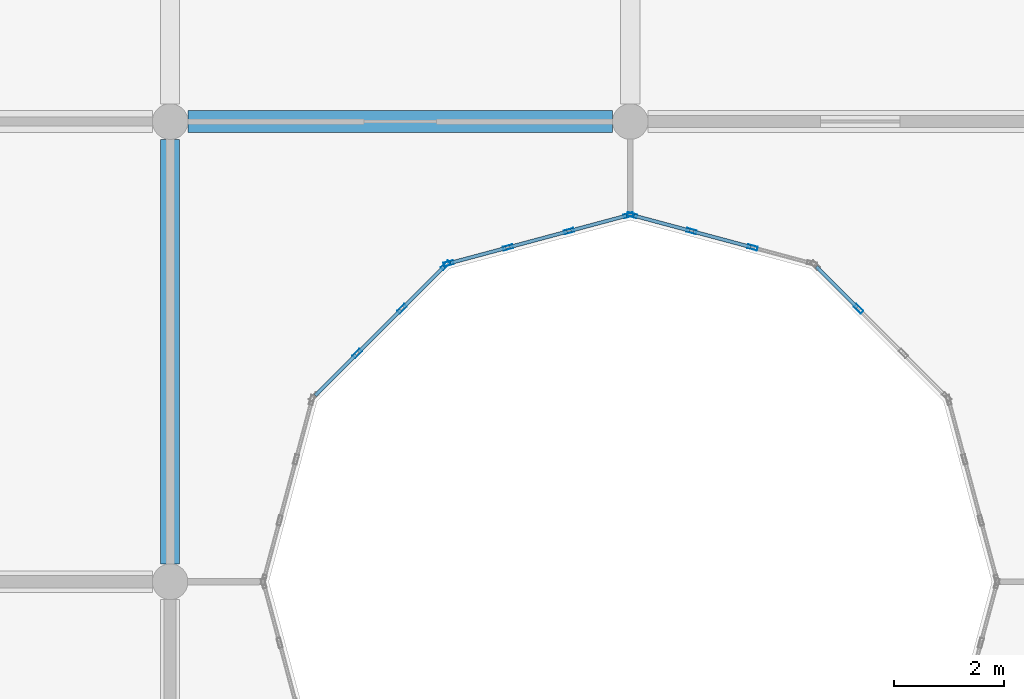
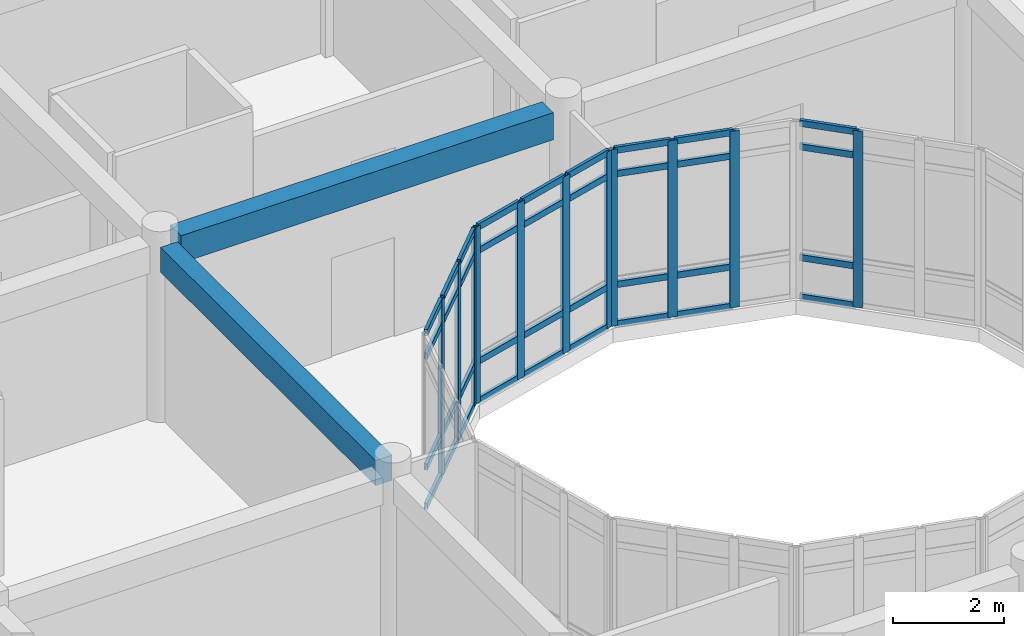
# One storey, part 22 of 119: 47 members, 2 beams, 4 elements without a shape of their own.
"""IFC4 building model written with IfcOpenShell, lengths in metres."""

from ifc_helpers import new_model, si_unit, direction, frame, origin, origin_2d, place, context, subcontext, project, spatial, rectangle, hollow_rectangle, extrude, material, layer, layer_set, material_profile, profile_set, type_object, element, aggregate, save


model = new_model("IFC4")

# Units and contexts
model_context = context("Model", 3, precision=1e-05, world=origin(), true_north=direction((0.0, 1.0)))
body_context = subcontext(model_context, "Body", "Model", "MODEL_VIEW")
ifc_project = project(units=[si_unit("LENGTHUNIT", "METRE"), si_unit("AREAUNIT", "SQUARE_METRE"), si_unit("VOLUMEUNIT", "CUBIC_METRE"), si_unit("PLANEANGLEUNIT", "RADIAN"), si_unit("MASSUNIT", "GRAM", prefix="KILO")], contexts=[model_context])

# Site, building, storey
site_placement = place(None, origin())
site = spatial("IfcSite", under=ifc_project, at=site_placement, CompositionType="ELEMENT")
building_placement = place(site_placement, origin())
building = spatial("IfcBuilding", under=site, at=building_placement, Name="Bramfleet General Hospital", CompositionType="ELEMENT")
storey_placement = place(building_placement, frame((0.0, 0.0, 14.39990234375)))
storey = spatial("IfcBuildingStorey", under=building, at=storey_placement, Name="L03", CompositionType="ELEMENT", Elevation=14.39990234375)

# Beams
ifc_material_1 = material(Name="Concrete C35/45", Category="concrete")
ifc_material_profile_1 = material_profile(ifc_material_1, rectangle(XDim=0.35009765625, YDim=0.550048828125, at=origin_2d()), Name="RC BM 550x350")
ifc_profile_set_1 = profile_set([ifc_material_profile_1], Name="Concrete C35/45")
beam_type_1 = type_object("IfcBeamType", Name="BM-RC550", PredefinedType="BEAM", material=ifc_profile_set_1)
beam_1_placement = place(storey_placement, frame((16.800048828125, 84.324951171875, 3.614990234375), z_axis=(0.0, 1.0, 0.0), x_axis=(-1.0, 0.0, 0.0)))
element("IfcBeam", 1, at=beam_1_placement, inside=storey, type_object=beam_type_1, Name="L03 Grid Beam Y 02-10", PredefinedType="BEAM", context=body_context, shape_type="SweptSolid", body=[
    extrude(rectangle(XDim=0.35009765625, YDim=0.550048828125, at=origin_2d()), origin(), (0.0, 0.0, 1.0), 7.75),
])
ifc_material_profile_2 = material_profile(ifc_material_1, rectangle(XDim=0.39990234375, YDim=0.60009765625, at=origin_2d()), Name="RC BM 600x400")
ifc_profile_set_2 = profile_set([ifc_material_profile_2], Name="Concrete C35/45")
beam_type_2 = type_object("IfcBeamType", Name="BM-RC600", PredefinedType="BEAM", material=ifc_profile_set_2)
beam_2_placement = place(storey_placement, frame((17.125, 92.39990234375, 3.590087890625), z_axis=(1.0, 0.0, 0.0), x_axis=(0.0, 1.0, 0.0)))
element("IfcBeam", 2, at=beam_2_placement, inside=storey, type_object=beam_type_2, Name="L03 Grid Beam X 02-11", PredefinedType="BEAM", context=body_context, shape_type="SweptSolid", body=[
    extrude(rectangle(XDim=0.39990234375, YDim=0.60009765625, at=origin_2d()), origin(), (0.0, 0.0, 1.0), 7.75),
])

# Curtain wall, member
ifc_material_2 = material(Name="Anodised aluminium and low-E triple glazing", Category="aluminium")
ifc_layer_1 = layer(ifc_material_2, 0.179931640625, Name="CWT-CW-16")
ifc_layer_set_1 = layer_set([ifc_layer_1], Name="Anodised aluminium and low-E triple glazing")
curtain_wall_type_1 = type_object("IfcCurtainWallType", Name="CWT-CW-16", PredefinedType="USERDEFINED", material=ifc_layer_set_1)
curtain_wall_1_placement = place(storey_placement, origin())
curtain_wall_1 = element("IfcCurtainWall", 3, at=curtain_wall_1_placement, inside=storey, type_object=curtain_wall_type_1, Name="L03 West Clinical Light Court Curtain Wall 8.1", ObjectType="Stick curtain wall", PredefinedType="USERDEFINED")
ifc_material_3 = material(Name="Anodised aluminium EN AW-6060", Category="aluminium")
ifc_material_profile_3 = material_profile(ifc_material_3, hollow_rectangle(XDim=0.070068359375, YDim=0.179931640625, WallThickness=0.00390625, at=origin_2d()), Name="ALU 180x70x4.0")
ifc_profile_set_3 = profile_set([ifc_material_profile_3], Name="Anodised aluminium EN AW-6060")
member_type_1 = type_object("IfcMemberType", Name="CWM-ALU180", PredefinedType="MULLION", material=ifc_profile_set_3)
member_1_placement = place(storey_placement, frame((29.367431640625, 88.984619140625, 0.0), z_axis=(0.0, 0.0, 1.0), x_axis=(-0.707106781187, -0.707106781187, 0.0)))
member_1 = element("IfcMember", 4, at=member_1_placement, type_object=member_type_1, Name="CW-16 mullion 3", PredefinedType="MULLION", context=body_context, shape_type="SweptSolid", body=[
    extrude(hollow_rectangle(XDim=0.070068359375, YDim=0.179931640625, WallThickness=0.00390625, at=origin_2d()), origin(), (0.0, 0.0, 1.0), 3.89013671875),
])

# Curtain wall, members
ifc_layer_2 = layer(ifc_material_2, 0.179931640625, Name="CWT-CW-17")
ifc_layer_set_2 = layer_set([ifc_layer_2], Name="Anodised aluminium and low-E triple glazing")
curtain_wall_type_2 = type_object("IfcCurtainWallType", Name="CWT-CW-17", PredefinedType="USERDEFINED", material=ifc_layer_set_2)
curtain_wall_2_placement = place(storey_placement, origin())
curtain_wall_2 = element("IfcCurtainWall", 5, at=curtain_wall_2_placement, inside=storey, type_object=curtain_wall_type_2, Name="L03 West Clinical Light Court Curtain Wall 9.1", ObjectType="Stick curtain wall", PredefinedType="USERDEFINED")
member_2_placement = place(storey_placement, frame((27.433349609375, 90.101318359375, 0.0), z_axis=(0.0, 0.0, 1.0), x_axis=(-0.25891863407, -0.965899136003, 0.0)))
member_2 = element("IfcMember", 6, at=member_2_placement, type_object=member_type_1, Name="CW-17 mullion 2", PredefinedType="MULLION", context=body_context, shape_type="SweptSolid", body=[
    extrude(hollow_rectangle(XDim=0.070068359375, YDim=0.179931640625, WallThickness=0.00390625, at=origin_2d()), origin(), (0.0, 0.0, 1.0), 3.89013671875),
])
member_3_placement = place(storey_placement, frame((26.316650390625, 90.400634765625, 0.0), z_axis=(0.0, 0.0, 1.0), x_axis=(-0.25891863407, -0.965899136003, 0.0)))
member_3 = element("IfcMember", 7, at=member_3_placement, type_object=member_type_1, Name="CW-17 mullion 3", PredefinedType="MULLION", context=body_context, shape_type="SweptSolid", body=[
    extrude(hollow_rectangle(XDim=0.070068359375, YDim=0.179931640625, WallThickness=0.00390625, at=origin_2d()), origin(), (0.0, 0.0, 1.0), 3.89013671875),
])
member_4_placement = place(storey_placement, frame((25.23388671875, 90.69091796875, 0.0), z_axis=(0.0, 0.0, 1.0), x_axis=(-0.25891863407, -0.965899136003, 0.0)))
member_4 = element("IfcMember", 8, at=member_4_placement, type_object=member_type_1, Name="CW-17 mullion 4", PredefinedType="MULLION", context=body_context, shape_type="SweptSolid", body=[
    extrude(hollow_rectangle(XDim=0.070068359375, YDim=0.179931640625, WallThickness=0.00390625, at=origin_2d()), origin(), (0.0, 0.0, 1.0), 3.89013671875),
])

ifc_layer_3 = layer(ifc_material_2, 0.179931640625, Name="CWT-CW-18")
ifc_layer_set_3 = layer_set([ifc_layer_3], Name="Anodised aluminium and low-E triple glazing")
curtain_wall_type_3 = type_object("IfcCurtainWallType", Name="CWT-CW-18", PredefinedType="USERDEFINED", material=ifc_layer_set_3)
curtain_wall_3_placement = place(storey_placement, origin())
curtain_wall_3 = element("IfcCurtainWall", 9, at=curtain_wall_3_placement, inside=storey, type_object=curtain_wall_type_3, Name="L03 West Clinical Light Court Curtain Wall 10.1", ObjectType="Stick curtain wall", PredefinedType="USERDEFINED")
member_5_placement = place(storey_placement, frame((25.166259765625, 90.69091796875, 0.0), z_axis=(0.0, 0.0, 1.0), x_axis=(0.25891863407, -0.965899136003, 0.0)))
member_5 = element("IfcMember", 10, at=member_5_placement, type_object=member_type_1, Name="CW-18 mullion 1", PredefinedType="MULLION", context=body_context, shape_type="SweptSolid", body=[
    extrude(hollow_rectangle(XDim=0.070068359375, YDim=0.179931640625, WallThickness=0.00390625, at=origin_2d()), origin(), (0.0, 0.0, 1.0), 3.89013671875),
])
member_6_placement = place(storey_placement, frame((24.083251953125, 90.400634765625, 0.0), z_axis=(0.0, 0.0, 1.0), x_axis=(0.25891863407, -0.965899136003, 0.0)))
member_6 = element("IfcMember", 11, at=member_6_placement, type_object=member_type_1, Name="CW-18 mullion 2", PredefinedType="MULLION", context=body_context, shape_type="SweptSolid", body=[
    extrude(hollow_rectangle(XDim=0.070068359375, YDim=0.179931640625, WallThickness=0.00390625, at=origin_2d()), origin(), (0.0, 0.0, 1.0), 3.89013671875),
])
member_7_placement = place(storey_placement, frame((22.966552734375, 90.101318359375, 0.0), z_axis=(0.0, 0.0, 1.0), x_axis=(0.25891863407, -0.965899136003, 0.0)))
member_7 = element("IfcMember", 12, at=member_7_placement, type_object=member_type_1, Name="CW-18 mullion 3", PredefinedType="MULLION", context=body_context, shape_type="SweptSolid", body=[
    extrude(hollow_rectangle(XDim=0.070068359375, YDim=0.179931640625, WallThickness=0.00390625, at=origin_2d()), origin(), (0.0, 0.0, 1.0), 3.89013671875),
])
member_8_placement = place(storey_placement, frame((21.8837890625, 89.81103515625, 0.0), z_axis=(0.0, 0.0, 1.0), x_axis=(0.25891863407, -0.965899136003, 0.0)))
member_8 = element("IfcMember", 13, at=member_8_placement, type_object=member_type_1, Name="CW-18 mullion 4", PredefinedType="MULLION", context=body_context, shape_type="SweptSolid", body=[
    extrude(hollow_rectangle(XDim=0.070068359375, YDim=0.179931640625, WallThickness=0.00390625, at=origin_2d()), origin(), (0.0, 0.0, 1.0), 3.89013671875),
])

ifc_layer_4 = layer(ifc_material_2, 0.179931640625, Name="CWT-CW-11")
ifc_layer_set_4 = layer_set([ifc_layer_4], Name="Anodised aluminium and low-E triple glazing")
curtain_wall_type_4 = type_object("IfcCurtainWallType", Name="CWT-CW-11", PredefinedType="USERDEFINED", material=ifc_layer_set_4)
curtain_wall_4_placement = place(storey_placement, origin())
curtain_wall_4 = element("IfcCurtainWall", 14, at=curtain_wall_4_placement, inside=storey, type_object=curtain_wall_type_4, Name="L03 West Clinical Light Court Curtain Wall 11.1", ObjectType="Stick curtain wall", PredefinedType="USERDEFINED")
member_9_placement = place(storey_placement, frame((21.8251953125, 89.77734375, 0.0), z_axis=(0.0, 0.0, 1.0), x_axis=(0.707106781187, -0.707106781187, 0.0)))
member_9 = element("IfcMember", 15, at=member_9_placement, type_object=member_type_1, Name="CW-11 mullion 1", PredefinedType="MULLION", context=body_context, shape_type="SweptSolid", body=[
    extrude(hollow_rectangle(XDim=0.070068359375, YDim=0.179931640625, WallThickness=0.00390625, at=origin_2d()), origin(), (0.0, 0.0, 1.0), 3.89013671875),
])
member_10_placement = place(storey_placement, frame((21.03271484375, 88.984619140625, 0.0), z_axis=(0.0, 0.0, 1.0), x_axis=(0.707106781187, -0.707106781187, 0.0)))
member_10 = element("IfcMember", 16, at=member_10_placement, type_object=member_type_1, Name="CW-11 mullion 2", PredefinedType="MULLION", context=body_context, shape_type="SweptSolid", body=[
    extrude(hollow_rectangle(XDim=0.070068359375, YDim=0.179931640625, WallThickness=0.00390625, at=origin_2d()), origin(), (0.0, 0.0, 1.0), 3.89013671875),
])
member_11_placement = place(storey_placement, frame((20.21533203125, 88.167236328125, 0.0), z_axis=(0.0, 0.0, 1.0), x_axis=(0.707106781187, -0.707106781187, 0.0)))
member_11 = element("IfcMember", 17, at=member_11_placement, type_object=member_type_1, Name="CW-11 mullion 3", PredefinedType="MULLION", context=body_context, shape_type="SweptSolid", body=[
    extrude(hollow_rectangle(XDim=0.070068359375, YDim=0.179931640625, WallThickness=0.00390625, at=origin_2d()), origin(), (0.0, 0.0, 1.0), 3.89013671875),
])

# Member
ifc_material_profile_4 = material_profile(ifc_material_3, hollow_rectangle(XDim=0.06494140625, YDim=0.139892578125, WallThickness=0.00390625, at=origin_2d()), Name="ALU 140x65x4.0")
ifc_profile_set_4 = profile_set([ifc_material_profile_4], Name="Anodised aluminium EN AW-6060")
member_type_2 = type_object("IfcMemberType", Name="CWT-ALU140", PredefinedType="USERDEFINED", material=ifc_profile_set_4)
member_12_placement = place(storey_placement, frame((29.342529296875, 89.009521484375, 0.03271484375), z_axis=(-0.707106781187, 0.707106781187, 0.0), x_axis=(-0.707106781187, -0.707106781187, 0.0)))
member_12 = element("IfcMember", 18, at=member_12_placement, type_object=member_type_2, Name="CW-16 transom 3.1", ObjectType="TRANSOM", PredefinedType="USERDEFINED", context=body_context, shape_type="SweptSolid", body=[
    extrude(hollow_rectangle(XDim=0.06494140625, YDim=0.139892578125, WallThickness=0.00390625, at=origin_2d()), origin(), (0.0, 0.0, 1.0), 1.050537109375),
])

member_13_placement = place(storey_placement, frame((29.342529296875, 89.009521484375, 0.900146484375), z_axis=(-0.707106781187, 0.707106781187, 0.0), x_axis=(-0.707106781187, -0.707106781187, 0.0)))
member_13 = element("IfcMember", 19, at=member_13_placement, type_object=member_type_2, Name="CW-16 transom 3.2", ObjectType="TRANSOM", PredefinedType="USERDEFINED", context=body_context, shape_type="SweptSolid", body=[
    extrude(hollow_rectangle(XDim=0.06494140625, YDim=0.139892578125, WallThickness=0.00390625, at=origin_2d()), origin(), (0.0, 0.0, 1.0), 1.050537109375),
])

member_14_placement = place(storey_placement, frame((29.342529296875, 89.009521484375, 3.340087890625), z_axis=(-0.707106781187, 0.707106781187, 0.0), x_axis=(-0.707106781187, -0.707106781187, 0.0)))
member_14 = element("IfcMember", 20, at=member_14_placement, type_object=member_type_2, Name="CW-16 transom 3.3", ObjectType="TRANSOM", PredefinedType="USERDEFINED", context=body_context, shape_type="SweptSolid", body=[
    extrude(hollow_rectangle(XDim=0.06494140625, YDim=0.139892578125, WallThickness=0.00390625, at=origin_2d()), origin(), (0.0, 0.0, 1.0), 1.050537109375),
])

member_15_placement = place(storey_placement, frame((29.342529296875, 89.009521484375, 3.857666015625), z_axis=(-0.707106781187, 0.707106781187, 0.0), x_axis=(-0.707106781187, -0.707106781187, 0.0)))
member_15 = element("IfcMember", 21, at=member_15_placement, type_object=member_type_2, Name="CW-16 transom 3.4", ObjectType="TRANSOM", PredefinedType="USERDEFINED", context=body_context, shape_type="SweptSolid", body=[
    extrude(hollow_rectangle(XDim=0.06494140625, YDim=0.139892578125, WallThickness=0.00390625, at=origin_2d()), origin(), (0.0, 0.0, 1.0), 1.050537109375),
])

aggregate(curtain_wall_1, [member_1, member_12, member_13, member_14, member_15])

member_16_placement = place(storey_placement, frame((27.3994140625, 90.1103515625, 0.03271484375), z_axis=(-0.965875768108, 0.259005792565, 0.0), x_axis=(-0.259005792565, -0.965875768108, 0.0)))
member_16 = element("IfcMember", 22, at=member_16_placement, type_object=member_type_2, Name="CW-17 transom 2.1", ObjectType="TRANSOM", PredefinedType="USERDEFINED", context=body_context, shape_type="SweptSolid", body=[
    extrude(hollow_rectangle(XDim=0.06494140625, YDim=0.139892578125, WallThickness=0.00390625, at=origin_2d()), origin(), (0.0, 0.0, 1.0), 1.0859375),
])

member_17_placement = place(storey_placement, frame((27.3994140625, 90.1103515625, 0.900146484375), z_axis=(-0.965875768108, 0.259005792565, 0.0), x_axis=(-0.259005792565, -0.965875768108, 0.0)))
member_17 = element("IfcMember", 23, at=member_17_placement, type_object=member_type_2, Name="CW-17 transom 2.2", ObjectType="TRANSOM", PredefinedType="USERDEFINED", context=body_context, shape_type="SweptSolid", body=[
    extrude(hollow_rectangle(XDim=0.06494140625, YDim=0.139892578125, WallThickness=0.00390625, at=origin_2d()), origin(), (0.0, 0.0, 1.0), 1.0859375),
])

member_18_placement = place(storey_placement, frame((27.3994140625, 90.1103515625, 3.340087890625), z_axis=(-0.965875768108, 0.259005792565, 0.0), x_axis=(-0.259005792565, -0.965875768108, 0.0)))
member_18 = element("IfcMember", 24, at=member_18_placement, type_object=member_type_2, Name="CW-17 transom 2.3", ObjectType="TRANSOM", PredefinedType="USERDEFINED", context=body_context, shape_type="SweptSolid", body=[
    extrude(hollow_rectangle(XDim=0.06494140625, YDim=0.139892578125, WallThickness=0.00390625, at=origin_2d()), origin(), (0.0, 0.0, 1.0), 1.0859375),
])

member_19_placement = place(storey_placement, frame((27.3994140625, 90.1103515625, 3.857666015625), z_axis=(-0.965875768108, 0.259005792565, 0.0), x_axis=(-0.259005792565, -0.965875768108, 0.0)))
member_19 = element("IfcMember", 25, at=member_19_placement, type_object=member_type_2, Name="CW-17 transom 2.4", ObjectType="TRANSOM", PredefinedType="USERDEFINED", context=body_context, shape_type="SweptSolid", body=[
    extrude(hollow_rectangle(XDim=0.06494140625, YDim=0.139892578125, WallThickness=0.00390625, at=origin_2d()), origin(), (0.0, 0.0, 1.0), 1.0859375),
])

member_20_placement = place(storey_placement, frame((26.282958984375, 90.40966796875, 0.03271484375), z_axis=(-0.965891021523, 0.258948903342, 0.0), x_axis=(-0.258948903342, -0.965891021523, 0.0)))
member_20 = element("IfcMember", 26, at=member_20_placement, type_object=member_type_2, Name="CW-17 transom 3.1", ObjectType="TRANSOM", PredefinedType="USERDEFINED", context=body_context, shape_type="SweptSolid", body=[
    extrude(hollow_rectangle(XDim=0.06494140625, YDim=0.139892578125, WallThickness=0.00390625, at=origin_2d()), origin(), (0.0, 0.0, 1.0), 1.05126953125),
])

member_21_placement = place(storey_placement, frame((26.282958984375, 90.40966796875, 0.900146484375), z_axis=(-0.965891021523, 0.258948903342, 0.0), x_axis=(-0.258948903342, -0.965891021523, 0.0)))
member_21 = element("IfcMember", 27, at=member_21_placement, type_object=member_type_2, Name="CW-17 transom 3.2", ObjectType="TRANSOM", PredefinedType="USERDEFINED", context=body_context, shape_type="SweptSolid", body=[
    extrude(hollow_rectangle(XDim=0.06494140625, YDim=0.139892578125, WallThickness=0.00390625, at=origin_2d()), origin(), (0.0, 0.0, 1.0), 1.05126953125),
])

member_22_placement = place(storey_placement, frame((26.282958984375, 90.40966796875, 3.340087890625), z_axis=(-0.965891021523, 0.258948903342, 0.0), x_axis=(-0.258948903342, -0.965891021523, 0.0)))
member_22 = element("IfcMember", 28, at=member_22_placement, type_object=member_type_2, Name="CW-17 transom 3.3", ObjectType="TRANSOM", PredefinedType="USERDEFINED", context=body_context, shape_type="SweptSolid", body=[
    extrude(hollow_rectangle(XDim=0.06494140625, YDim=0.139892578125, WallThickness=0.00390625, at=origin_2d()), origin(), (0.0, 0.0, 1.0), 1.05126953125),
])

member_23_placement = place(storey_placement, frame((26.282958984375, 90.40966796875, 3.857666015625), z_axis=(-0.965891021523, 0.258948903342, 0.0), x_axis=(-0.258948903342, -0.965891021523, 0.0)))
member_23 = element("IfcMember", 29, at=member_23_placement, type_object=member_type_2, Name="CW-17 transom 3.4", ObjectType="TRANSOM", PredefinedType="USERDEFINED", context=body_context, shape_type="SweptSolid", body=[
    extrude(hollow_rectangle(XDim=0.06494140625, YDim=0.139892578125, WallThickness=0.00390625, at=origin_2d()), origin(), (0.0, 0.0, 1.0), 1.05126953125),
])

aggregate(curtain_wall_2, [member_2, member_3, member_4, member_16, member_17, member_18, member_19, member_20, member_21, member_22, member_23])

member_24_placement = place(storey_placement, frame((25.13232421875, 90.681884765625, 0.03271484375), z_axis=(-0.965875443458, -0.259007003236, 0.0), x_axis=(0.259007003236, -0.965875443458, 0.0)))
member_24 = element("IfcMember", 30, at=member_24_placement, type_object=member_type_2, Name="CW-18 transom 1.1", ObjectType="TRANSOM", PredefinedType="USERDEFINED", context=body_context, shape_type="SweptSolid", body=[
    extrude(hollow_rectangle(XDim=0.06494140625, YDim=0.139892578125, WallThickness=0.00390625, at=origin_2d()), origin(), (0.0, 0.0, 1.0), 1.051025390625),
])

member_25_placement = place(storey_placement, frame((25.13232421875, 90.681884765625, 0.900146484375), z_axis=(-0.965875443458, -0.259007003236, 0.0), x_axis=(0.259007003236, -0.965875443458, 0.0)))
member_25 = element("IfcMember", 31, at=member_25_placement, type_object=member_type_2, Name="CW-18 transom 1.2", ObjectType="TRANSOM", PredefinedType="USERDEFINED", context=body_context, shape_type="SweptSolid", body=[
    extrude(hollow_rectangle(XDim=0.06494140625, YDim=0.139892578125, WallThickness=0.00390625, at=origin_2d()), origin(), (0.0, 0.0, 1.0), 1.051025390625),
])

member_26_placement = place(storey_placement, frame((25.13232421875, 90.681884765625, 3.340087890625), z_axis=(-0.965875443458, -0.259007003236, 0.0), x_axis=(0.259007003236, -0.965875443458, 0.0)))
member_26 = element("IfcMember", 32, at=member_26_placement, type_object=member_type_2, Name="CW-18 transom 1.3", ObjectType="TRANSOM", PredefinedType="USERDEFINED", context=body_context, shape_type="SweptSolid", body=[
    extrude(hollow_rectangle(XDim=0.06494140625, YDim=0.139892578125, WallThickness=0.00390625, at=origin_2d()), origin(), (0.0, 0.0, 1.0), 1.051025390625),
])

member_27_placement = place(storey_placement, frame((25.13232421875, 90.681884765625, 3.857666015625), z_axis=(-0.965875443458, -0.259007003236, 0.0), x_axis=(0.259007003236, -0.965875443458, 0.0)))
member_27 = element("IfcMember", 33, at=member_27_placement, type_object=member_type_2, Name="CW-18 transom 1.4", ObjectType="TRANSOM", PredefinedType="USERDEFINED", context=body_context, shape_type="SweptSolid", body=[
    extrude(hollow_rectangle(XDim=0.06494140625, YDim=0.139892578125, WallThickness=0.00390625, at=origin_2d()), origin(), (0.0, 0.0, 1.0), 1.051025390625),
])

member_28_placement = place(storey_placement, frame((24.049560546875, 90.3916015625, 0.03271484375), z_axis=(-0.965890845787, -0.258949558843, 0.0), x_axis=(0.258949558843, -0.965890845787, 0.0)))
member_28 = element("IfcMember", 34, at=member_28_placement, type_object=member_type_2, Name="CW-18 transom 2.1", ObjectType="TRANSOM", PredefinedType="USERDEFINED", context=body_context, shape_type="SweptSolid", body=[
    extrude(hollow_rectangle(XDim=0.06494140625, YDim=0.139892578125, WallThickness=0.00390625, at=origin_2d()), origin(), (0.0, 0.0, 1.0), 1.086181640625),
])

member_29_placement = place(storey_placement, frame((24.049560546875, 90.3916015625, 0.900146484375), z_axis=(-0.965890845787, -0.258949558843, 0.0), x_axis=(0.258949558843, -0.965890845787, 0.0)))
member_29 = element("IfcMember", 35, at=member_29_placement, type_object=member_type_2, Name="CW-18 transom 2.2", ObjectType="TRANSOM", PredefinedType="USERDEFINED", context=body_context, shape_type="SweptSolid", body=[
    extrude(hollow_rectangle(XDim=0.06494140625, YDim=0.139892578125, WallThickness=0.00390625, at=origin_2d()), origin(), (0.0, 0.0, 1.0), 1.086181640625),
])

member_30_placement = place(storey_placement, frame((24.049560546875, 90.3916015625, 3.340087890625), z_axis=(-0.965890845787, -0.258949558843, 0.0), x_axis=(0.258949558843, -0.965890845787, 0.0)))
member_30 = element("IfcMember", 36, at=member_30_placement, type_object=member_type_2, Name="CW-18 transom 2.3", ObjectType="TRANSOM", PredefinedType="USERDEFINED", context=body_context, shape_type="SweptSolid", body=[
    extrude(hollow_rectangle(XDim=0.06494140625, YDim=0.139892578125, WallThickness=0.00390625, at=origin_2d()), origin(), (0.0, 0.0, 1.0), 1.086181640625),
])

member_31_placement = place(storey_placement, frame((24.049560546875, 90.3916015625, 3.857666015625), z_axis=(-0.965890845787, -0.258949558843, 0.0), x_axis=(0.258949558843, -0.965890845787, 0.0)))
member_31 = element("IfcMember", 37, at=member_31_placement, type_object=member_type_2, Name="CW-18 transom 2.4", ObjectType="TRANSOM", PredefinedType="USERDEFINED", context=body_context, shape_type="SweptSolid", body=[
    extrude(hollow_rectangle(XDim=0.06494140625, YDim=0.139892578125, WallThickness=0.00390625, at=origin_2d()), origin(), (0.0, 0.0, 1.0), 1.086181640625),
])

member_32_placement = place(storey_placement, frame((22.932861328125, 90.09228515625, 0.03271484375), z_axis=(-0.965875443458, -0.259007003236, 0.0), x_axis=(0.259007003236, -0.965875443458, 0.0)))
member_32 = element("IfcMember", 38, at=member_32_placement, type_object=member_type_2, Name="CW-18 transom 3.1", ObjectType="TRANSOM", PredefinedType="USERDEFINED", context=body_context, shape_type="SweptSolid", body=[
    extrude(hollow_rectangle(XDim=0.06494140625, YDim=0.139892578125, WallThickness=0.00390625, at=origin_2d()), origin(), (0.0, 0.0, 1.0), 1.051025390625),
])

member_33_placement = place(storey_placement, frame((22.932861328125, 90.09228515625, 0.900146484375), z_axis=(-0.965875443458, -0.259007003236, 0.0), x_axis=(0.259007003236, -0.965875443458, 0.0)))
member_33 = element("IfcMember", 39, at=member_33_placement, type_object=member_type_2, Name="CW-18 transom 3.2", ObjectType="TRANSOM", PredefinedType="USERDEFINED", context=body_context, shape_type="SweptSolid", body=[
    extrude(hollow_rectangle(XDim=0.06494140625, YDim=0.139892578125, WallThickness=0.00390625, at=origin_2d()), origin(), (0.0, 0.0, 1.0), 1.051025390625),
])

member_34_placement = place(storey_placement, frame((22.932861328125, 90.09228515625, 3.340087890625), z_axis=(-0.965875443458, -0.259007003236, 0.0), x_axis=(0.259007003236, -0.965875443458, 0.0)))
member_34 = element("IfcMember", 40, at=member_34_placement, type_object=member_type_2, Name="CW-18 transom 3.3", ObjectType="TRANSOM", PredefinedType="USERDEFINED", context=body_context, shape_type="SweptSolid", body=[
    extrude(hollow_rectangle(XDim=0.06494140625, YDim=0.139892578125, WallThickness=0.00390625, at=origin_2d()), origin(), (0.0, 0.0, 1.0), 1.051025390625),
])

member_35_placement = place(storey_placement, frame((22.932861328125, 90.09228515625, 3.857666015625), z_axis=(-0.965875443458, -0.259007003236, 0.0), x_axis=(0.259007003236, -0.965875443458, 0.0)))
member_35 = element("IfcMember", 41, at=member_35_placement, type_object=member_type_2, Name="CW-18 transom 3.4", ObjectType="TRANSOM", PredefinedType="USERDEFINED", context=body_context, shape_type="SweptSolid", body=[
    extrude(hollow_rectangle(XDim=0.06494140625, YDim=0.139892578125, WallThickness=0.00390625, at=origin_2d()), origin(), (0.0, 0.0, 1.0), 1.051025390625),
])

aggregate(curtain_wall_3, [member_5, member_6, member_7, member_8, member_24, member_25, member_26, member_27, member_28, member_29, member_30, member_31, member_32, member_33, member_34, member_35])

member_36_placement = place(storey_placement, frame((21.800537109375, 89.75244140625, 0.03271484375), z_axis=(-0.707222938356, -0.706990604933, 0.0), x_axis=(0.706990604933, -0.707222938356, 0.0)))
member_36 = element("IfcMember", 42, at=member_36_placement, type_object=member_type_2, Name="CW-11 transom 1.1", ObjectType="TRANSOM", PredefinedType="USERDEFINED", context=body_context, shape_type="SweptSolid", body=[
    extrude(hollow_rectangle(XDim=0.06494140625, YDim=0.139892578125, WallThickness=0.00390625, at=origin_2d()), origin(), (0.0, 0.0, 1.0), 1.05078125),
])

member_37_placement = place(storey_placement, frame((21.800537109375, 89.75244140625, 0.900146484375), z_axis=(-0.707222938356, -0.706990604933, 0.0), x_axis=(0.706990604933, -0.707222938356, 0.0)))
member_37 = element("IfcMember", 43, at=member_37_placement, type_object=member_type_2, Name="CW-11 transom 1.2", ObjectType="TRANSOM", PredefinedType="USERDEFINED", context=body_context, shape_type="SweptSolid", body=[
    extrude(hollow_rectangle(XDim=0.06494140625, YDim=0.139892578125, WallThickness=0.00390625, at=origin_2d()), origin(), (0.0, 0.0, 1.0), 1.05078125),
])

member_38_placement = place(storey_placement, frame((21.800537109375, 89.75244140625, 3.340087890625), z_axis=(-0.707222938356, -0.706990604933, 0.0), x_axis=(0.706990604933, -0.707222938356, 0.0)))
member_38 = element("IfcMember", 44, at=member_38_placement, type_object=member_type_2, Name="CW-11 transom 1.3", ObjectType="TRANSOM", PredefinedType="USERDEFINED", context=body_context, shape_type="SweptSolid", body=[
    extrude(hollow_rectangle(XDim=0.06494140625, YDim=0.139892578125, WallThickness=0.00390625, at=origin_2d()), origin(), (0.0, 0.0, 1.0), 1.05078125),
])

member_39_placement = place(storey_placement, frame((21.800537109375, 89.75244140625, 3.857666015625), z_axis=(-0.707222938356, -0.706990604933, 0.0), x_axis=(0.706990604933, -0.707222938356, 0.0)))
member_39 = element("IfcMember", 45, at=member_39_placement, type_object=member_type_2, Name="CW-11 transom 1.4", ObjectType="TRANSOM", PredefinedType="USERDEFINED", context=body_context, shape_type="SweptSolid", body=[
    extrude(hollow_rectangle(XDim=0.06494140625, YDim=0.139892578125, WallThickness=0.00390625, at=origin_2d()), origin(), (0.0, 0.0, 1.0), 1.05078125),
])

member_40_placement = place(storey_placement, frame((21.0078125, 88.9599609375, 0.03271484375), z_axis=(-0.707106781187, -0.707106781187, 0.0), x_axis=(0.707106781187, -0.707106781187, 0.0)))
member_40 = element("IfcMember", 46, at=member_40_placement, type_object=member_type_2, Name="CW-11 transom 2.1", ObjectType="TRANSOM", PredefinedType="USERDEFINED", context=body_context, shape_type="SweptSolid", body=[
    extrude(hollow_rectangle(XDim=0.06494140625, YDim=0.139892578125, WallThickness=0.00390625, at=origin_2d()), origin(), (0.0, 0.0, 1.0), 1.0859375),
])

member_41_placement = place(storey_placement, frame((21.0078125, 88.9599609375, 0.900146484375), z_axis=(-0.707106781187, -0.707106781187, 0.0), x_axis=(0.707106781187, -0.707106781187, 0.0)))
member_41 = element("IfcMember", 47, at=member_41_placement, type_object=member_type_2, Name="CW-11 transom 2.2", ObjectType="TRANSOM", PredefinedType="USERDEFINED", context=body_context, shape_type="SweptSolid", body=[
    extrude(hollow_rectangle(XDim=0.06494140625, YDim=0.139892578125, WallThickness=0.00390625, at=origin_2d()), origin(), (0.0, 0.0, 1.0), 1.0859375),
])

member_42_placement = place(storey_placement, frame((21.0078125, 88.9599609375, 3.340087890625), z_axis=(-0.707106781187, -0.707106781187, 0.0), x_axis=(0.707106781187, -0.707106781187, 0.0)))
member_42 = element("IfcMember", 48, at=member_42_placement, type_object=member_type_2, Name="CW-11 transom 2.3", ObjectType="TRANSOM", PredefinedType="USERDEFINED", context=body_context, shape_type="SweptSolid", body=[
    extrude(hollow_rectangle(XDim=0.06494140625, YDim=0.139892578125, WallThickness=0.00390625, at=origin_2d()), origin(), (0.0, 0.0, 1.0), 1.0859375),
])

member_43_placement = place(storey_placement, frame((21.0078125, 88.9599609375, 3.857666015625), z_axis=(-0.707106781187, -0.707106781187, 0.0), x_axis=(0.707106781187, -0.707106781187, 0.0)))
member_43 = element("IfcMember", 49, at=member_43_placement, type_object=member_type_2, Name="CW-11 transom 2.4", ObjectType="TRANSOM", PredefinedType="USERDEFINED", context=body_context, shape_type="SweptSolid", body=[
    extrude(hollow_rectangle(XDim=0.06494140625, YDim=0.139892578125, WallThickness=0.00390625, at=origin_2d()), origin(), (0.0, 0.0, 1.0), 1.0859375),
])

member_44_placement = place(storey_placement, frame((20.190673828125, 88.142578125, 0.03271484375), z_axis=(-0.707106781187, -0.707106781187, 0.0), x_axis=(0.707106781187, -0.707106781187, 0.0)))
member_44 = element("IfcMember", 50, at=member_44_placement, type_object=member_type_2, Name="CW-11 transom 3.1", ObjectType="TRANSOM", PredefinedType="USERDEFINED", context=body_context, shape_type="SweptSolid", body=[
    extrude(hollow_rectangle(XDim=0.06494140625, YDim=0.139892578125, WallThickness=0.00390625, at=origin_2d()), origin(), (0.0, 0.0, 1.0), 1.051025390625),
])

member_45_placement = place(storey_placement, frame((20.190673828125, 88.142578125, 0.900146484375), z_axis=(-0.707106781187, -0.707106781187, 0.0), x_axis=(0.707106781187, -0.707106781187, 0.0)))
member_45 = element("IfcMember", 51, at=member_45_placement, type_object=member_type_2, Name="CW-11 transom 3.2", ObjectType="TRANSOM", PredefinedType="USERDEFINED", context=body_context, shape_type="SweptSolid", body=[
    extrude(hollow_rectangle(XDim=0.06494140625, YDim=0.139892578125, WallThickness=0.00390625, at=origin_2d()), origin(), (0.0, 0.0, 1.0), 1.051025390625),
])

member_46_placement = place(storey_placement, frame((20.190673828125, 88.142578125, 3.340087890625), z_axis=(-0.707106781187, -0.707106781187, 0.0), x_axis=(0.707106781187, -0.707106781187, 0.0)))
member_46 = element("IfcMember", 52, at=member_46_placement, type_object=member_type_2, Name="CW-11 transom 3.3", ObjectType="TRANSOM", PredefinedType="USERDEFINED", context=body_context, shape_type="SweptSolid", body=[
    extrude(hollow_rectangle(XDim=0.06494140625, YDim=0.139892578125, WallThickness=0.00390625, at=origin_2d()), origin(), (0.0, 0.0, 1.0), 1.051025390625),
])

member_47_placement = place(storey_placement, frame((20.190673828125, 88.142578125, 3.857666015625), z_axis=(-0.707106781187, -0.707106781187, 0.0), x_axis=(0.707106781187, -0.707106781187, 0.0)))
member_47 = element("IfcMember", 53, at=member_47_placement, type_object=member_type_2, Name="CW-11 transom 3.4", ObjectType="TRANSOM", PredefinedType="USERDEFINED", context=body_context, shape_type="SweptSolid", body=[
    extrude(hollow_rectangle(XDim=0.06494140625, YDim=0.139892578125, WallThickness=0.00390625, at=origin_2d()), origin(), (0.0, 0.0, 1.0), 1.051025390625),
])

aggregate(curtain_wall_4, [member_9, member_10, member_11, member_36, member_37, member_38, member_39, member_40, member_41, member_42, member_43, member_44, member_45, member_46, member_47])

save(model, "model.ifc")
